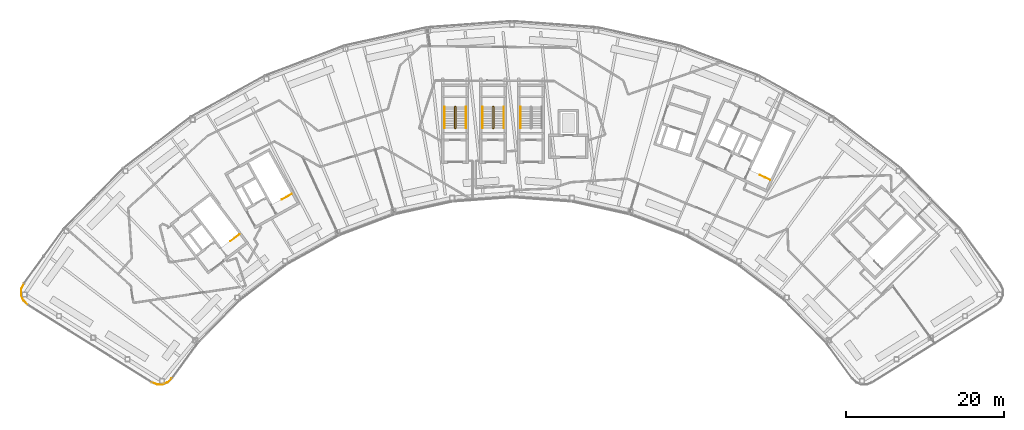
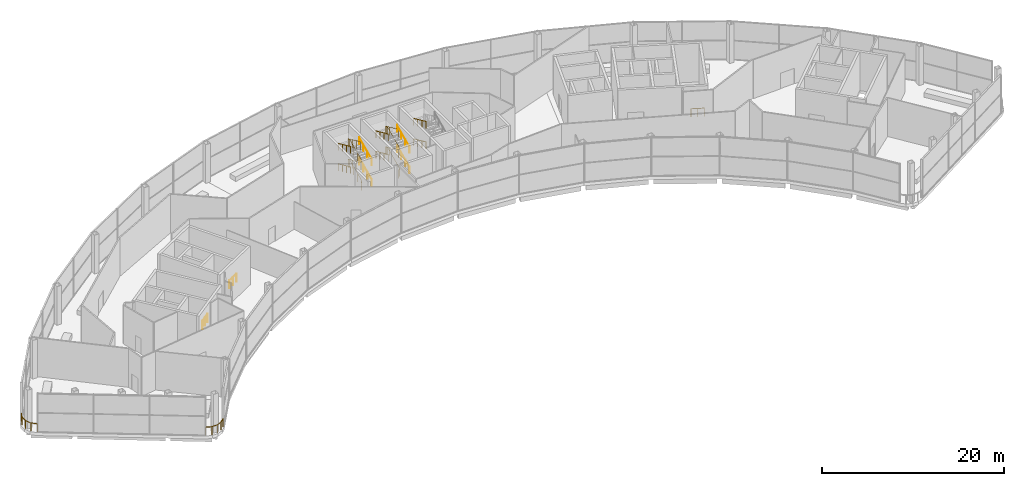
# One storey, part 42 of 44: 17 railings.
"""IFC4 building model written with IfcOpenShell, lengths in metres."""

from ifc_helpers import new_model, si_unit, direction, frame, origin, origin_2d, place, context, subcontext, project, spatial, circle, extrude, material, type_object, element, save


model = new_model("IFC4")

# Units and contexts
model_context = context("Model", 3, precision=1e-05, world=origin(), true_north=direction((0.0, 1.0)))
body_context = subcontext(model_context, "Body", "Model", "MODEL_VIEW")
ifc_project = project(units=[si_unit("LENGTHUNIT", "METRE"), si_unit("AREAUNIT", "SQUARE_METRE"), si_unit("VOLUMEUNIT", "CUBIC_METRE"), si_unit("PLANEANGLEUNIT", "RADIAN"), si_unit("MASSUNIT", "GRAM", prefix="KILO")], contexts=[model_context])

# Site, building, storey
site_placement = place(None, origin())
site = spatial("IfcSite", under=ifc_project, at=site_placement, CompositionType="ELEMENT")
building_placement = place(site_placement, origin())
building = spatial("IfcBuilding", under=site, at=building_placement, Name="Tuul Gate Civic Tower", CompositionType="ELEMENT")
storey_placement = place(building_placement, frame((0.0, 0.0, 354.60009765625)))
storey = spatial("IfcBuildingStorey", under=building, at=storey_placement, Name="Observation level 2", CompositionType="ELEMENT", Elevation=354.60009765625)

# Railings
ifc_material_1 = material(Name="Stainless steel", Category="steel")
railing_type_1 = type_object("IfcRailingType", Name="Edge guard", PredefinedType="GUARDRAIL", material=ifc_material_1)
railing_1_placement = place(storey_placement, frame((-59.597900390625, -18.944091796875, 0.0)))
element("IfcRailing", 1, at=railing_1_placement, inside=storey, type_object=railing_type_1, Name="Guard", PredefinedType="GUARDRAIL", context=body_context, shape_type="SweptSolid", body=[
    extrude(circle(Radius=0.02392578125, at=origin_2d()), frame((0.0, 0.0, 1.076171875), z_axis=(-0.409502361018, -0.912309057458, 0.0), x_axis=(0.912309057458, -0.409502361018, 0.0)), (0.0, 0.0, 1.0), 0.753662109375),
    extrude(circle(Radius=0.02392578125, at=origin_2d()), frame((-0.30859375, -0.6875, 1.076171875), z_axis=(-0.014580433083, -0.999893699836, 0.0), x_axis=(0.999893699836, -0.014580433083, 0.0)), (0.0, 0.0, 1.0), 0.75341796875),
    extrude(circle(Radius=0.02392578125, at=origin_2d()), frame((-0.319580078125, -1.44091796875, 1.076171875), z_axis=(0.385811143559, -0.922577780735, 0.0), x_axis=(0.922577780735, 0.385811143559, 0.0)), (0.0, 0.0, 1.0), 0.753662109375),
    extrude(circle(Radius=0.02392578125, at=origin_2d()), frame((-0.02880859375, -2.13623046875, 1.076171875), z_axis=(0.722332119168, -0.691546317768, 0.0), x_axis=(0.691546317768, 0.722332119168, 0.0)), (0.0, 0.0, 1.0), 0.75341796875),
    extrude(circle(Radius=0.02099609375, at=origin_2d()), origin(), (0.0, 0.0, 1.0), 1.052001953125),
    extrude(circle(Radius=0.02099609375, at=origin_2d()), frame((-0.30859375, -0.6875, 0.0)), (0.0, 0.0, 1.0), 1.052001953125),
    extrude(circle(Radius=0.02099609375, at=origin_2d()), frame((-0.319580078125, -1.44091796875, 0.0)), (0.0, 0.0, 1.0), 1.052001953125),
    extrude(circle(Radius=0.02099609375, at=origin_2d()), frame((-0.02880859375, -2.13623046875, 0.0)), (0.0, 0.0, 1.0), 1.052001953125),
    extrude(circle(Radius=0.02099609375, at=origin_2d()), frame((0.515380859375, -2.6572265625, 0.0)), (0.0, 0.0, 1.0), 1.052001953125),
])
railing_2_placement = place(storey_placement, frame((-43.35498046875, -31.43310546875, 0.0)))
element("IfcRailing", 2, at=railing_2_placement, inside=storey, type_object=railing_type_1, Name="Guard", PredefinedType="GUARDRAIL", context=body_context, shape_type="SweptSolid", body=[
    extrude(circle(Radius=0.02392578125, at=origin_2d()), frame((0.0, 0.0, 1.076171875), z_axis=(0.933546496867, -0.35845632675, 0.0), x_axis=(0.35845632675, 0.933546496867, 0.0)), (0.0, 0.0, 1.0), 0.6884765625),
    extrude(circle(Radius=0.02392578125, at=origin_2d()), frame((0.642822265625, -0.246826171875, 1.076171875), z_axis=(0.999995973226, 0.002837874348, 0.0), x_axis=(-0.002837874348, 0.999995973226, 0.0)), (0.0, 0.0, 1.0), 0.688232421875),
    extrude(circle(Radius=0.02392578125, at=origin_2d()), frame((1.3310546875, -0.244873046875, 1.076171875), z_axis=(0.929355422999, 0.369186264293, 0.0), x_axis=(-0.369186264293, 0.929355422999, 0.0)), (0.0, 0.0, 1.0), 0.687744140625),
    extrude(circle(Radius=0.02392578125, at=origin_2d()), frame((1.97021484375, 0.009033203125, 1.076171875), z_axis=(0.730277115831, 0.68315103315, 0.0), x_axis=(-0.68315103315, 0.730277115831, 0.0)), (0.0, 0.0, 1.0), 0.68896484375),
    extrude(circle(Radius=0.02099609375, at=origin_2d()), origin(), (0.0, 0.0, 1.0), 1.052001953125),
    extrude(circle(Radius=0.02099609375, at=origin_2d()), frame((0.642822265625, -0.246826171875, 0.0)), (0.0, 0.0, 1.0), 1.052001953125),
    extrude(circle(Radius=0.02099609375, at=origin_2d()), frame((1.3310546875, -0.244873046875, 0.0)), (0.0, 0.0, 1.0), 1.052001953125),
    extrude(circle(Radius=0.02099609375, at=origin_2d()), frame((1.97021484375, 0.009033203125, 0.0)), (0.0, 0.0, 1.0), 1.052001953125),
    extrude(circle(Radius=0.02099609375, at=origin_2d()), frame((2.473388671875, 0.479736328125, 0.0)), (0.0, 0.0, 1.0), 1.052001953125),
])
ifc_material_2 = material(Name="Painted steel", Category="steel")
railing_type_2 = type_object("IfcRailingType", Name="Stair guard", PredefinedType="GUARDRAIL", material=ifc_material_2)
railing_3_placement = place(storey_placement, frame((-32.307861328125, -12.69775390625, 0.0)))
element("IfcRailing", 3, at=railing_3_placement, inside=storey, type_object=railing_type_2, Name="Observation level 2 ST-1 top well guard 1", PredefinedType="GUARDRAIL", context=body_context, shape_type="SweptSolid", body=[
    extrude(circle(Radius=0.02392578125, at=origin_2d()), frame((0.0, 0.0, 1.076171875), z_axis=(-0.79573696358, -0.605642373677, 0.0), x_axis=(0.605642373677, -0.79573696358, 0.0)), (0.0, 0.0, 1.0), 1.449951171875),
    extrude(circle(Radius=0.02099609375, at=origin_2d()), origin(), (0.0, 0.0, 1.0), 1.052001953125),
    extrude(circle(Radius=0.02099609375, at=origin_2d()), frame((-0.576904296875, -0.43896484375, 0.0)), (0.0, 0.0, 1.0), 1.052001953125),
    extrude(circle(Radius=0.02099609375, at=origin_2d()), frame((-1.15380859375, -0.878173828125, 0.0)), (0.0, 0.0, 1.0), 1.052001953125),
])
railing_4_placement = place(storey_placement, frame((-25.677001953125, -7.593017578125, 0.0)))
element("IfcRailing", 4, at=railing_4_placement, inside=storey, type_object=railing_type_2, Name="Observation level 2 ST-2 top well guard 1", PredefinedType="GUARDRAIL", context=body_context, shape_type="SweptSolid", body=[
    extrude(circle(Radius=0.02392578125, at=origin_2d()), frame((0.0, 0.0, 1.076171875), z_axis=(-0.874665074222, -0.484727766831, 0.0), x_axis=(0.484727766831, -0.874665074222, 0.0)), (0.0, 0.0, 1.0), 1.449951171875),
    extrude(circle(Radius=0.02099609375, at=origin_2d()), origin(), (0.0, 0.0, 1.0), 1.052001953125),
    extrude(circle(Radius=0.02099609375, at=origin_2d()), frame((-0.63427734375, -0.3515625, 0.0)), (0.0, 0.0, 1.0), 1.052001953125),
    extrude(circle(Radius=0.02099609375, at=origin_2d()), frame((-1.268310546875, -0.702880859375, 0.0)), (0.0, 0.0, 1.0), 1.052001953125),
])
railing_5_placement = place(storey_placement, frame((34.869140625, -5.80908203125, 0.0)))
element("IfcRailing", 5, at=railing_5_placement, inside=storey, type_object=railing_type_2, Name="Observation level 2 ST-4 top well guard 1", PredefinedType="GUARDRAIL", context=body_context, shape_type="SweptSolid", body=[
    extrude(circle(Radius=0.02392578125, at=origin_2d()), frame((0.0, 0.0, 1.076171875), z_axis=(-0.906286360707, 0.422664207613, 0.0), x_axis=(-0.422664207613, -0.906286360707, 0.0)), (0.0, 0.0, 1.0), 1.449951171875),
    extrude(circle(Radius=0.02099609375, at=origin_2d()), origin(), (0.0, 0.0, 1.0), 1.052001953125),
    extrude(circle(Radius=0.02099609375, at=origin_2d()), frame((-0.656982421875, 0.306396484375, 0.0)), (0.0, 0.0, 1.0), 1.052001953125),
    extrude(circle(Radius=0.02099609375, at=origin_2d()), frame((-1.31396484375, 0.61279296875, 0.0)), (0.0, 0.0, 1.0), 1.052001953125),
])
railing_6_placement = place(storey_placement, frame((-4.949951171875, 0.699951171875, 0.0)))
element("IfcRailing", 6, at=railing_6_placement, inside=storey, type_object=railing_type_2, Name="Observation level 2 ST-5 stair guard 1", PredefinedType="GUARDRAIL", context=body_context, shape_type="SweptSolid", body=[
    extrude(circle(Radius=0.02392578125, at=origin_2d()), frame((0.0, 0.0, 1.076171875), z_axis=(-1.0, 0.0, 0.0), x_axis=(0.0, -1.0, 0.0)), (0.0, 0.0, 1.0), 0.10009765625),
    extrude(circle(Radius=0.02392578125, at=origin_2d()), frame((-0.10009765625, 0.0, 1.076171875), z_axis=(0.716270155515, 0.238756718505, 0.655707475699), x_axis=(-0.316227766017, 0.948683298051, 0.0)), (0.0, 0.0, 1.0), 0.209716796875),
    extrude(circle(Radius=0.02392578125, at=origin_2d()), frame((0.050048828125, 0.050048828125, 1.21337890625), z_axis=(0.0, 0.909055741701, 0.416674523436), x_axis=(-1.0, 0.0, 0.0)), (0.0, 0.0, 1.0), 2.969970703125),
    extrude(circle(Radius=0.02392578125, at=origin_2d()), frame((0.050048828125, 2.75, 2.451171875), z_axis=(-0.707106781187, 0.707106781187, 0.0), x_axis=(-0.707106781187, -0.707106781187, 0.0)), (0.0, 0.0, 1.0), 0.07080078125),
    extrude(circle(Radius=0.02392578125, at=origin_2d()), frame((0.0, 2.800048828125, 2.451171875), z_axis=(-1.0, 0.0, 0.0), x_axis=(0.0, -1.0, 0.0)), (0.0, 0.0, 1.0), 0.10009765625),
    extrude(circle(Radius=0.02392578125, at=origin_2d()), frame((-0.10009765625, 2.800048828125, 2.451171875), z_axis=(-0.323721382332, -0.323721382332, 0.889049454891), x_axis=(0.707106781187, -0.707106781187, 0.0)), (0.0, 0.0, 1.0), 0.154541015625),
    extrude(circle(Radius=0.02392578125, at=origin_2d()), frame((-0.150146484375, 2.75, 2.58837890625), z_axis=(0.0, -0.909055741701, 0.416674523436), x_axis=(1.0, 0.0, 0.0)), (0.0, 0.0, 1.0), 2.969970703125),
    extrude(circle(Radius=0.02392578125, at=origin_2d()), frame((-0.150146484375, 0.050048828125, 3.826171875), z_axis=(0.948683298051, -0.316227766017, 0.0), x_axis=(0.316227766017, 0.948683298051, 0.0)), (0.0, 0.0, 1.0), 0.158203125),
    extrude(circle(Radius=0.02392578125, at=origin_2d()), frame((0.0, 0.0, 3.826171875), z_axis=(-1.0, 0.0, 0.0), x_axis=(0.0, -1.0, 0.0)), (0.0, 0.0, 1.0), 0.10009765625),
    extrude(circle(Radius=0.02392578125, at=origin_2d()), frame((-0.10009765625, 0.0, 3.826171875), z_axis=(0.716270155515, 0.238756718505, 0.655707475699), x_axis=(-0.316227766017, 0.948683298051, 0.0)), (0.0, 0.0, 1.0), 0.209716796875),
    extrude(circle(Radius=0.02392578125, at=origin_2d()), frame((0.050048828125, 0.050048828125, 3.96337890625), z_axis=(0.0, 0.909055741701, 0.416674523436), x_axis=(-1.0, 0.0, 0.0)), (0.0, 0.0, 1.0), 2.969970703125),
    extrude(circle(Radius=0.02392578125, at=origin_2d()), frame((0.050048828125, 2.75, 5.201171875), z_axis=(-0.707106781187, 0.707106781187, 0.0), x_axis=(-0.707106781187, -0.707106781187, 0.0)), (0.0, 0.0, 1.0), 0.07080078125),
    extrude(circle(Radius=0.02392578125, at=origin_2d()), frame((0.0, 2.800048828125, 5.201171875), z_axis=(-1.0, 0.0, 0.0), x_axis=(0.0, -1.0, 0.0)), (0.0, 0.0, 1.0), 0.10009765625),
    extrude(circle(Radius=0.02392578125, at=origin_2d()), frame((-0.10009765625, 2.800048828125, 5.201171875), z_axis=(-0.323721382332, -0.323721382332, 0.889049454891), x_axis=(0.707106781187, -0.707106781187, 0.0)), (0.0, 0.0, 1.0), 0.154541015625),
    extrude(circle(Radius=0.02392578125, at=origin_2d()), frame((-0.150146484375, 2.75, 5.33837890625), z_axis=(0.0, -0.909055741701, 0.416674523436), x_axis=(1.0, 0.0, 0.0)), (0.0, 0.0, 1.0), 2.969970703125),
    extrude(circle(Radius=0.02099609375, at=origin_2d()), origin(), (0.0, 0.0, 1.0), 1.052001953125),
    extrude(circle(Radius=0.02099609375, at=origin_2d()), frame((-0.10009765625, 0.0, 0.0)), (0.0, 0.0, 1.0), 1.052001953125),
    extrude(circle(Radius=0.02099609375, at=origin_2d()), frame((0.050048828125, 0.050048828125, 0.137451171875)), (0.0, 0.0, 1.0), 1.052001953125),
    extrude(circle(Radius=0.02099609375, at=origin_2d()), frame((0.050048828125, 0.949951171875, 0.550048828125)), (0.0, 0.0, 1.0), 1.052001953125),
    extrude(circle(Radius=0.02099609375, at=origin_2d()), frame((0.050048828125, 1.85009765625, 0.96240234375)), (0.0, 0.0, 1.0), 1.052001953125),
    extrude(circle(Radius=0.02099609375, at=origin_2d()), frame((0.050048828125, 2.75, 1.375)), (0.0, 0.0, 1.0), 1.052001953125),
    extrude(circle(Radius=0.02099609375, at=origin_2d()), frame((0.0, 2.800048828125, 1.375)), (0.0, 0.0, 1.0), 1.052001953125),
    extrude(circle(Radius=0.02099609375, at=origin_2d()), frame((-0.10009765625, 2.800048828125, 1.375)), (0.0, 0.0, 1.0), 1.052001953125),
    extrude(circle(Radius=0.02099609375, at=origin_2d()), frame((-0.150146484375, 2.75, 1.512451171875)), (0.0, 0.0, 1.0), 1.052001953125),
    extrude(circle(Radius=0.02099609375, at=origin_2d()), frame((-0.150146484375, 1.85009765625, 1.925048828125)), (0.0, 0.0, 1.0), 1.052001953125),
    extrude(circle(Radius=0.02099609375, at=origin_2d()), frame((-0.150146484375, 0.949951171875, 2.33740234375)), (0.0, 0.0, 1.0), 1.052001953125),
    extrude(circle(Radius=0.02099609375, at=origin_2d()), frame((-0.150146484375, 0.050048828125, 2.75)), (0.0, 0.0, 1.0), 1.052001953125),
    extrude(circle(Radius=0.02099609375, at=origin_2d()), frame((0.0, 0.0, 2.75)), (0.0, 0.0, 1.0), 1.052001953125),
    extrude(circle(Radius=0.02099609375, at=origin_2d()), frame((-0.10009765625, 0.0, 2.75)), (0.0, 0.0, 1.0), 1.052001953125),
    extrude(circle(Radius=0.02099609375, at=origin_2d()), frame((0.050048828125, 0.050048828125, 2.887451171875)), (0.0, 0.0, 1.0), 1.052001953125),
    extrude(circle(Radius=0.02099609375, at=origin_2d()), frame((0.050048828125, 0.949951171875, 3.300048828125)), (0.0, 0.0, 1.0), 1.052001953125),
    extrude(circle(Radius=0.02099609375, at=origin_2d()), frame((0.050048828125, 1.85009765625, 3.71240234375)), (0.0, 0.0, 1.0), 1.052001953125),
    extrude(circle(Radius=0.02099609375, at=origin_2d()), frame((0.050048828125, 2.75, 4.125)), (0.0, 0.0, 1.0), 1.052001953125),
    extrude(circle(Radius=0.02099609375, at=origin_2d()), frame((0.0, 2.800048828125, 4.125)), (0.0, 0.0, 1.0), 1.052001953125),
    extrude(circle(Radius=0.02099609375, at=origin_2d()), frame((-0.10009765625, 2.800048828125, 4.125)), (0.0, 0.0, 1.0), 1.052001953125),
    extrude(circle(Radius=0.02099609375, at=origin_2d()), frame((-0.150146484375, 2.75, 4.262451171875)), (0.0, 0.0, 1.0), 1.052001953125),
    extrude(circle(Radius=0.02099609375, at=origin_2d()), frame((-0.150146484375, 1.85009765625, 4.675048828125)), (0.0, 0.0, 1.0), 1.052001953125),
    extrude(circle(Radius=0.02099609375, at=origin_2d()), frame((-0.150146484375, 0.949951171875, 5.08740234375)), (0.0, 0.0, 1.0), 1.052001953125),
    extrude(circle(Radius=0.02099609375, at=origin_2d()), frame((-0.150146484375, 0.050048828125, 5.5)), (0.0, 0.0, 1.0), 1.052001953125),
])
railing_7_placement = place(storey_placement, frame((-0.14990234375, 0.699951171875, 0.0)))
element("IfcRailing", 7, at=railing_7_placement, inside=storey, type_object=railing_type_2, Name="Observation level 2 ST-6 stair guard 1", PredefinedType="GUARDRAIL", context=body_context, shape_type="SweptSolid", body=[
    extrude(circle(Radius=0.02392578125, at=origin_2d()), frame((0.0, 0.0, 1.076171875), z_axis=(-1.0, 0.0, 0.0), x_axis=(0.0, -1.0, 0.0)), (0.0, 0.0, 1.0), 0.10009765625),
    extrude(circle(Radius=0.02392578125, at=origin_2d()), frame((-0.10009765625, 0.0, 1.076171875), z_axis=(0.715702302449, 0.238955980459, 0.656254717066), x_axis=(-0.316691178788, 0.948528701346, 0.0)), (0.0, 0.0, 1.0), 0.20947265625),
    extrude(circle(Radius=0.02392578125, at=origin_2d()), frame((0.0498046875, 0.050048828125, 1.21337890625), z_axis=(0.0, 0.909055741701, 0.416674523436), x_axis=(-1.0, 0.0, 0.0)), (0.0, 0.0, 1.0), 2.969970703125),
    extrude(circle(Radius=0.02392578125, at=origin_2d()), frame((0.0498046875, 2.75, 2.451171875), z_axis=(-0.705375805398, 0.708833529934, 0.0), x_axis=(-0.708833529934, -0.705375805398, 0.0)), (0.0, 0.0, 1.0), 0.070556640625),
    extrude(circle(Radius=0.02392578125, at=origin_2d()), frame((0.0, 2.800048828125, 2.451171875), z_axis=(-1.0, 0.0, 0.0), x_axis=(0.0, -1.0, 0.0)), (0.0, 0.0, 1.0), 0.10009765625),
    extrude(circle(Radius=0.02392578125, at=origin_2d()), frame((-0.10009765625, 2.800048828125, 2.451171875), z_axis=(-0.323721382332, -0.323721382332, 0.889049454891), x_axis=(0.707106781187, -0.707106781187, 0.0)), (0.0, 0.0, 1.0), 0.154541015625),
    extrude(circle(Radius=0.02392578125, at=origin_2d()), frame((-0.150146484375, 2.75, 2.58837890625), z_axis=(0.0, -0.909055741701, 0.416674523436), x_axis=(1.0, 0.0, 0.0)), (0.0, 0.0, 1.0), 2.969970703125),
    extrude(circle(Radius=0.02392578125, at=origin_2d()), frame((-0.150146484375, 0.050048828125, 3.826171875), z_axis=(0.948683298051, -0.316227766017, 0.0), x_axis=(0.316227766017, 0.948683298051, 0.0)), (0.0, 0.0, 1.0), 0.158203125),
    extrude(circle(Radius=0.02392578125, at=origin_2d()), frame((0.0, 0.0, 3.826171875), z_axis=(-1.0, 0.0, 0.0), x_axis=(0.0, -1.0, 0.0)), (0.0, 0.0, 1.0), 0.10009765625),
    extrude(circle(Radius=0.02392578125, at=origin_2d()), frame((-0.10009765625, 0.0, 3.826171875), z_axis=(0.715702302449, 0.238955980459, 0.656254717066), x_axis=(-0.316691178788, 0.948528701346, 0.0)), (0.0, 0.0, 1.0), 0.20947265625),
    extrude(circle(Radius=0.02392578125, at=origin_2d()), frame((0.0498046875, 0.050048828125, 3.96337890625), z_axis=(0.0, 0.909055741701, 0.416674523436), x_axis=(-1.0, 0.0, 0.0)), (0.0, 0.0, 1.0), 2.969970703125),
    extrude(circle(Radius=0.02392578125, at=origin_2d()), frame((0.0498046875, 2.75, 5.201171875), z_axis=(-0.705375805398, 0.708833529934, 0.0), x_axis=(-0.708833529934, -0.705375805398, 0.0)), (0.0, 0.0, 1.0), 0.070556640625),
    extrude(circle(Radius=0.02392578125, at=origin_2d()), frame((0.0, 2.800048828125, 5.201171875), z_axis=(-1.0, 0.0, 0.0), x_axis=(0.0, -1.0, 0.0)), (0.0, 0.0, 1.0), 0.10009765625),
    extrude(circle(Radius=0.02392578125, at=origin_2d()), frame((-0.10009765625, 2.800048828125, 5.201171875), z_axis=(-0.323721382332, -0.323721382332, 0.889049454891), x_axis=(0.707106781187, -0.707106781187, 0.0)), (0.0, 0.0, 1.0), 0.154541015625),
    extrude(circle(Radius=0.02392578125, at=origin_2d()), frame((-0.150146484375, 2.75, 5.33837890625), z_axis=(0.0, -0.909055741701, 0.416674523436), x_axis=(1.0, 0.0, 0.0)), (0.0, 0.0, 1.0), 2.969970703125),
    extrude(circle(Radius=0.02099609375, at=origin_2d()), origin(), (0.0, 0.0, 1.0), 1.052001953125),
    extrude(circle(Radius=0.02099609375, at=origin_2d()), frame((-0.10009765625, 0.0, 0.0)), (0.0, 0.0, 1.0), 1.052001953125),
    extrude(circle(Radius=0.02099609375, at=origin_2d()), frame((0.0498046875, 0.050048828125, 0.137451171875)), (0.0, 0.0, 1.0), 1.052001953125),
    extrude(circle(Radius=0.02099609375, at=origin_2d()), frame((0.0498046875, 0.949951171875, 0.550048828125)), (0.0, 0.0, 1.0), 1.052001953125),
    extrude(circle(Radius=0.02099609375, at=origin_2d()), frame((0.0498046875, 1.85009765625, 0.96240234375)), (0.0, 0.0, 1.0), 1.052001953125),
    extrude(circle(Radius=0.02099609375, at=origin_2d()), frame((0.0498046875, 2.75, 1.375)), (0.0, 0.0, 1.0), 1.052001953125),
    extrude(circle(Radius=0.02099609375, at=origin_2d()), frame((0.0, 2.800048828125, 1.375)), (0.0, 0.0, 1.0), 1.052001953125),
    extrude(circle(Radius=0.02099609375, at=origin_2d()), frame((-0.10009765625, 2.800048828125, 1.375)), (0.0, 0.0, 1.0), 1.052001953125),
    extrude(circle(Radius=0.02099609375, at=origin_2d()), frame((-0.150146484375, 2.75, 1.512451171875)), (0.0, 0.0, 1.0), 1.052001953125),
    extrude(circle(Radius=0.02099609375, at=origin_2d()), frame((-0.150146484375, 1.85009765625, 1.925048828125)), (0.0, 0.0, 1.0), 1.052001953125),
    extrude(circle(Radius=0.02099609375, at=origin_2d()), frame((-0.150146484375, 0.949951171875, 2.33740234375)), (0.0, 0.0, 1.0), 1.052001953125),
    extrude(circle(Radius=0.02099609375, at=origin_2d()), frame((-0.150146484375, 0.050048828125, 2.75)), (0.0, 0.0, 1.0), 1.052001953125),
    extrude(circle(Radius=0.02099609375, at=origin_2d()), frame((0.0, 0.0, 2.75)), (0.0, 0.0, 1.0), 1.052001953125),
    extrude(circle(Radius=0.02099609375, at=origin_2d()), frame((-0.10009765625, 0.0, 2.75)), (0.0, 0.0, 1.0), 1.052001953125),
    extrude(circle(Radius=0.02099609375, at=origin_2d()), frame((0.0498046875, 0.050048828125, 2.887451171875)), (0.0, 0.0, 1.0), 1.052001953125),
    extrude(circle(Radius=0.02099609375, at=origin_2d()), frame((0.0498046875, 0.949951171875, 3.300048828125)), (0.0, 0.0, 1.0), 1.052001953125),
    extrude(circle(Radius=0.02099609375, at=origin_2d()), frame((0.0498046875, 1.85009765625, 3.71240234375)), (0.0, 0.0, 1.0), 1.052001953125),
    extrude(circle(Radius=0.02099609375, at=origin_2d()), frame((0.0498046875, 2.75, 4.125)), (0.0, 0.0, 1.0), 1.052001953125),
    extrude(circle(Radius=0.02099609375, at=origin_2d()), frame((0.0, 2.800048828125, 4.125)), (0.0, 0.0, 1.0), 1.052001953125),
    extrude(circle(Radius=0.02099609375, at=origin_2d()), frame((-0.10009765625, 2.800048828125, 4.125)), (0.0, 0.0, 1.0), 1.052001953125),
    extrude(circle(Radius=0.02099609375, at=origin_2d()), frame((-0.150146484375, 2.75, 4.262451171875)), (0.0, 0.0, 1.0), 1.052001953125),
    extrude(circle(Radius=0.02099609375, at=origin_2d()), frame((-0.150146484375, 1.85009765625, 4.675048828125)), (0.0, 0.0, 1.0), 1.052001953125),
    extrude(circle(Radius=0.02099609375, at=origin_2d()), frame((-0.150146484375, 0.949951171875, 5.08740234375)), (0.0, 0.0, 1.0), 1.052001953125),
    extrude(circle(Radius=0.02099609375, at=origin_2d()), frame((-0.150146484375, 0.050048828125, 5.5)), (0.0, 0.0, 1.0), 1.052001953125),
])
ifc_material_3 = material(Name="Painted steel", Category="steel")
railing_type_3 = type_object("IfcRailingType", Name="Stair handrail", PredefinedType="HANDRAIL", material=ifc_material_3)
railing_8_placement = place(storey_placement, frame((-3.64990234375, 0.75, 0.137451171875)))
element("IfcRailing", 8, at=railing_8_placement, inside=storey, type_object=railing_type_3, Name="Observation level 2 ST-5 stair handrail 1", PredefinedType="HANDRAIL", context=body_context, shape_type="SweptSolid", body=[
    extrude(circle(Radius=0.02392578125, at=origin_2d()), frame((0.0, 0.0, 0.8759765625), z_axis=(0.0, 0.909055741701, 0.416674523436), x_axis=(-1.0, 0.0, 0.0)), (0.0, 0.0, 1.0), 2.969970703125),
    extrude(circle(Radius=0.02099609375, at=origin_2d()), origin(), (0.0, 0.0, 1.0), 0.851806640625),
    extrude(circle(Radius=0.02099609375, at=origin_2d()), frame((0.0, 0.89990234375, 0.41259765625)), (0.0, 0.0, 1.0), 0.851806640625),
    extrude(circle(Radius=0.02099609375, at=origin_2d()), frame((0.0, 1.800048828125, 0.824951171875)), (0.0, 0.0, 1.0), 0.851806640625),
    extrude(circle(Radius=0.02099609375, at=origin_2d()), frame((0.0, 2.699951171875, 1.237548828125)), (0.0, 0.0, 1.0), 0.851806640625),
])
railing_9_placement = place(storey_placement, frame((-6.35009765625, 3.449951171875, 1.512451171875)))
element("IfcRailing", 9, at=railing_9_placement, inside=storey, type_object=railing_type_3, Name="Observation level 2 ST-5 stair handrail 2", PredefinedType="HANDRAIL", context=body_context, shape_type="SweptSolid", body=[
    extrude(circle(Radius=0.02392578125, at=origin_2d()), frame((0.0, 0.0, 0.8759765625), z_axis=(0.0, -0.909055741701, 0.416674523436), x_axis=(1.0, 0.0, 0.0)), (0.0, 0.0, 1.0), 2.969970703125),
    extrude(circle(Radius=0.02099609375, at=origin_2d()), origin(), (0.0, 0.0, 1.0), 0.851806640625),
    extrude(circle(Radius=0.02099609375, at=origin_2d()), frame((0.0, -0.89990234375, 0.41259765625)), (0.0, 0.0, 1.0), 0.851806640625),
    extrude(circle(Radius=0.02099609375, at=origin_2d()), frame((0.0, -1.800048828125, 0.824951171875)), (0.0, 0.0, 1.0), 0.851806640625),
    extrude(circle(Radius=0.02099609375, at=origin_2d()), frame((0.0, -2.699951171875, 1.237548828125)), (0.0, 0.0, 1.0), 0.851806640625),
])
railing_10_placement = place(storey_placement, frame((-3.64990234375, 0.75, 2.887451171875)))
element("IfcRailing", 10, at=railing_10_placement, inside=storey, type_object=railing_type_3, Name="Observation level 2 ST-5 stair handrail 3", PredefinedType="HANDRAIL", context=body_context, shape_type="SweptSolid", body=[
    extrude(circle(Radius=0.02392578125, at=origin_2d()), frame((0.0, 0.0, 0.8759765625), z_axis=(0.0, 0.909055741701, 0.416674523436), x_axis=(-1.0, 0.0, 0.0)), (0.0, 0.0, 1.0), 2.969970703125),
    extrude(circle(Radius=0.02099609375, at=origin_2d()), origin(), (0.0, 0.0, 1.0), 0.851806640625),
    extrude(circle(Radius=0.02099609375, at=origin_2d()), frame((0.0, 0.89990234375, 0.41259765625)), (0.0, 0.0, 1.0), 0.851806640625),
    extrude(circle(Radius=0.02099609375, at=origin_2d()), frame((0.0, 1.800048828125, 0.824951171875)), (0.0, 0.0, 1.0), 0.851806640625),
    extrude(circle(Radius=0.02099609375, at=origin_2d()), frame((0.0, 2.699951171875, 1.237548828125)), (0.0, 0.0, 1.0), 0.851806640625),
])
railing_11_placement = place(storey_placement, frame((-6.35009765625, 3.449951171875, 4.262451171875)))
element("IfcRailing", 11, at=railing_11_placement, inside=storey, type_object=railing_type_3, Name="Observation level 2 ST-5 stair handrail 4", PredefinedType="HANDRAIL", context=body_context, shape_type="SweptSolid", body=[
    extrude(circle(Radius=0.02392578125, at=origin_2d()), frame((0.0, 0.0, 0.8759765625), z_axis=(0.0, -0.909055741701, 0.416674523436), x_axis=(1.0, 0.0, 0.0)), (0.0, 0.0, 1.0), 2.969970703125),
    extrude(circle(Radius=0.02099609375, at=origin_2d()), origin(), (0.0, 0.0, 1.0), 0.851806640625),
    extrude(circle(Radius=0.02099609375, at=origin_2d()), frame((0.0, -0.89990234375, 0.41259765625)), (0.0, 0.0, 1.0), 0.851806640625),
    extrude(circle(Radius=0.02099609375, at=origin_2d()), frame((0.0, -1.800048828125, 0.824951171875)), (0.0, 0.0, 1.0), 0.851806640625),
    extrude(circle(Radius=0.02099609375, at=origin_2d()), frame((0.0, -2.699951171875, 1.237548828125)), (0.0, 0.0, 1.0), 0.851806640625),
])
railing_12_placement = place(storey_placement, frame((1.14990234375, 0.75, 0.137451171875)))
element("IfcRailing", 12, at=railing_12_placement, inside=storey, type_object=railing_type_3, Name="Observation level 2 ST-6 stair handrail 1", PredefinedType="HANDRAIL", context=body_context, shape_type="SweptSolid", body=[
    extrude(circle(Radius=0.02392578125, at=origin_2d()), frame((0.0, 0.0, 0.8759765625), z_axis=(0.0, 0.909055741701, 0.416674523436), x_axis=(-1.0, 0.0, 0.0)), (0.0, 0.0, 1.0), 2.969970703125),
    extrude(circle(Radius=0.02099609375, at=origin_2d()), origin(), (0.0, 0.0, 1.0), 0.851806640625),
    extrude(circle(Radius=0.02099609375, at=origin_2d()), frame((0.0, 0.89990234375, 0.41259765625)), (0.0, 0.0, 1.0), 0.851806640625),
    extrude(circle(Radius=0.02099609375, at=origin_2d()), frame((0.0, 1.800048828125, 0.824951171875)), (0.0, 0.0, 1.0), 0.851806640625),
    extrude(circle(Radius=0.02099609375, at=origin_2d()), frame((0.0, 2.699951171875, 1.237548828125)), (0.0, 0.0, 1.0), 0.851806640625),
])
railing_13_placement = place(storey_placement, frame((-1.550048828125, 3.449951171875, 1.512451171875)))
element("IfcRailing", 13, at=railing_13_placement, inside=storey, type_object=railing_type_3, Name="Observation level 2 ST-6 stair handrail 2", PredefinedType="HANDRAIL", context=body_context, shape_type="SweptSolid", body=[
    extrude(circle(Radius=0.02392578125, at=origin_2d()), frame((0.0, 0.0, 0.8759765625), z_axis=(0.0, -0.909055741701, 0.416674523436), x_axis=(1.0, 0.0, 0.0)), (0.0, 0.0, 1.0), 2.969970703125),
    extrude(circle(Radius=0.02099609375, at=origin_2d()), origin(), (0.0, 0.0, 1.0), 0.851806640625),
    extrude(circle(Radius=0.02099609375, at=origin_2d()), frame((0.0, -0.89990234375, 0.41259765625)), (0.0, 0.0, 1.0), 0.851806640625),
    extrude(circle(Radius=0.02099609375, at=origin_2d()), frame((0.0, -1.800048828125, 0.824951171875)), (0.0, 0.0, 1.0), 0.851806640625),
    extrude(circle(Radius=0.02099609375, at=origin_2d()), frame((0.0, -2.699951171875, 1.237548828125)), (0.0, 0.0, 1.0), 0.851806640625),
])
railing_14_placement = place(storey_placement, frame((1.14990234375, 0.75, 2.887451171875)))
element("IfcRailing", 14, at=railing_14_placement, inside=storey, type_object=railing_type_3, Name="Observation level 2 ST-6 stair handrail 3", PredefinedType="HANDRAIL", context=body_context, shape_type="SweptSolid", body=[
    extrude(circle(Radius=0.02392578125, at=origin_2d()), frame((0.0, 0.0, 0.8759765625), z_axis=(0.0, 0.909055741701, 0.416674523436), x_axis=(-1.0, 0.0, 0.0)), (0.0, 0.0, 1.0), 2.969970703125),
    extrude(circle(Radius=0.02099609375, at=origin_2d()), origin(), (0.0, 0.0, 1.0), 0.851806640625),
    extrude(circle(Radius=0.02099609375, at=origin_2d()), frame((0.0, 0.89990234375, 0.41259765625)), (0.0, 0.0, 1.0), 0.851806640625),
    extrude(circle(Radius=0.02099609375, at=origin_2d()), frame((0.0, 1.800048828125, 0.824951171875)), (0.0, 0.0, 1.0), 0.851806640625),
    extrude(circle(Radius=0.02099609375, at=origin_2d()), frame((0.0, 2.699951171875, 1.237548828125)), (0.0, 0.0, 1.0), 0.851806640625),
])
for number, where, name in (
    (15, (-1.550048828125, 3.449951171875, 4.262451171875), "Observation level 2 ST-6 stair handrail 4"),
    (16, (3.25, 3.449951171875, 1.512451171875), "Observation level 2 ST-7 stair handrail 2"),
    (17, (3.25, 3.449951171875, 4.262451171875), "Observation level 2 ST-7 stair handrail 4"),
):
    element("IfcRailing", number, at=place(storey_placement, frame(where)), inside=storey, type_object=railing_type_3, Name=name, PredefinedType="HANDRAIL", context=body_context, shape_type="SweptSolid", body=[
        extrude(circle(Radius=0.02392578125, at=origin_2d()), frame((0.0, 0.0, 0.8759765625), z_axis=(0.0, -0.909055741701, 0.416674523436), x_axis=(1.0, 0.0, 0.0)), (0.0, 0.0, 1.0), 2.969970703125),
        extrude(circle(Radius=0.02099609375, at=origin_2d()), origin(), (0.0, 0.0, 1.0), 0.851806640625),
        extrude(circle(Radius=0.02099609375, at=origin_2d()), frame((0.0, -0.89990234375, 0.41259765625)), (0.0, 0.0, 1.0), 0.851806640625),
        extrude(circle(Radius=0.02099609375, at=origin_2d()), frame((0.0, -1.800048828125, 0.824951171875)), (0.0, 0.0, 1.0), 0.851806640625),
        extrude(circle(Radius=0.02099609375, at=origin_2d()), frame((0.0, -2.699951171875, 1.237548828125)), (0.0, 0.0, 1.0), 0.851806640625),
    ])

save(model, "model.ifc")
